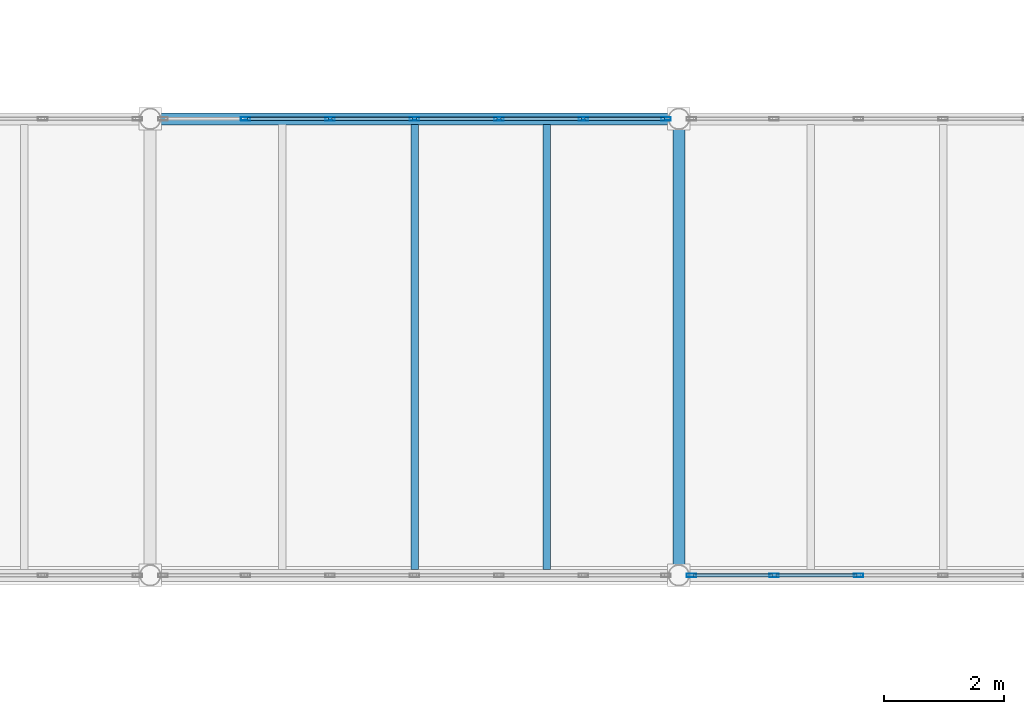
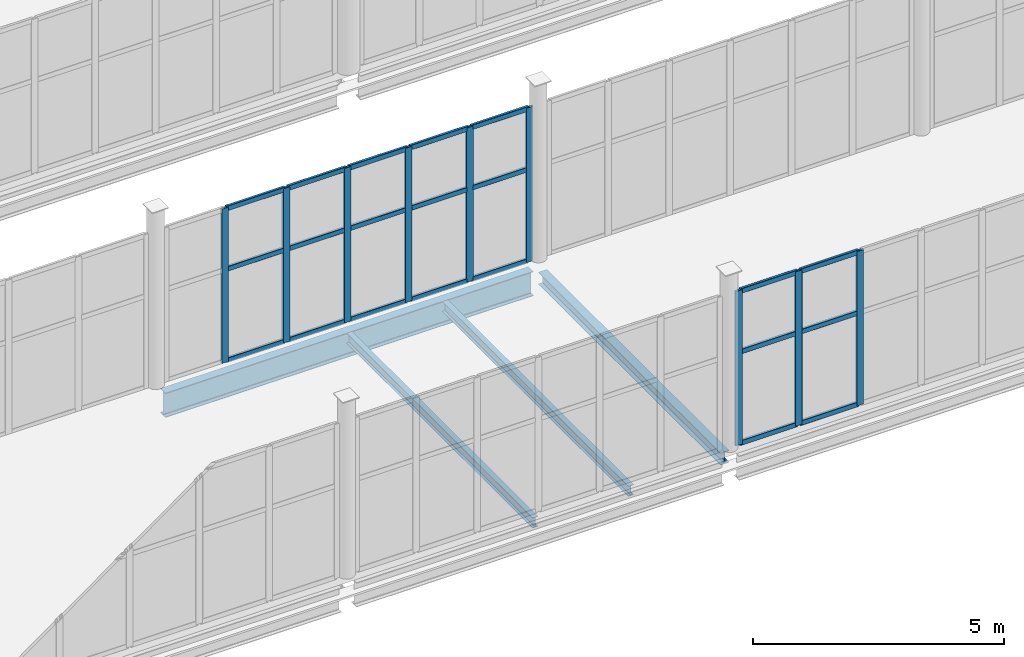
# One storey, part 53 of 172: 30 members, 4 beams, 2 elements without a shape of their own.
"""IFC4 building model written with IfcOpenShell, lengths in metres."""

from ifc_helpers import new_model, si_unit, direction, frame, origin, origin_2d, place, context, subcontext, project, spatial, hollow_rectangle, i_section, extrude, material, material_profile, profile_set, type_object, element, aggregate, save


model = new_model("IFC4")

# Units and contexts
model_context = context("Model", 3, precision=1e-05, world=origin(), true_north=direction((0.0, 1.0)))
body_context = subcontext(model_context, "Body", "Model", "MODEL_VIEW")
ifc_project = project(units=[si_unit("LENGTHUNIT", "METRE"), si_unit("AREAUNIT", "SQUARE_METRE"), si_unit("VOLUMEUNIT", "CUBIC_METRE"), si_unit("PLANEANGLEUNIT", "RADIAN"), si_unit("MASSUNIT", "GRAM", prefix="KILO")], contexts=[model_context])

# Site, building, storey
site_placement = place(None, origin())
site = spatial("IfcSite", under=ifc_project, at=site_placement, CompositionType="ELEMENT")
building_placement = place(site_placement, origin())
building = spatial("IfcBuilding", under=site, at=building_placement, Name="Shengluoqiao Park Theatre", CompositionType="ELEMENT")
storey_placement = place(building_placement, frame((0.0, 0.0, 5.39990234375)))
storey = spatial("IfcBuildingStorey", under=building, at=storey_placement, Name="L01", CompositionType="ELEMENT", Elevation=5.39990234375)

# Curtain wall, members
ifc_material_1 = material(Name="Aluminium 6063-T6", Category="aluminium")
curtain_wall_type = type_object("IfcCurtainWallType", Name="ENV-CW-BRIDGE", PredefinedType="NOTDEFINED", material=ifc_material_1)
curtain_wall_1_placement = place(storey_placement, origin())
curtain_wall_1 = element("IfcCurtainWall", 1, at=curtain_wall_1_placement, inside=storey, type_object=curtain_wall_type, Name="L01 Curtain Wall CWX-L01-0129", PredefinedType="NOTDEFINED")
ifc_material_profile_1 = material_profile(ifc_material_1, hollow_rectangle(XDim=0.06005859375, YDim=0.159912109375, WallThickness=0.00390625, InnerFilletRadius=0.00390625, OuterFilletRadius=0.008056640625, at=origin_2d()), Name="ALU MULLION 160x60x4")
ifc_profile_set_1 = profile_set([ifc_material_profile_1], Name="Aluminium 6063-T6")
member_type_1 = type_object("IfcMemberType", Name="ENV-MUL-160", PredefinedType="MULLION", material=ifc_profile_set_1)
member_1_placement = place(storey_placement, frame((95.412109375, 53.199951171875, 0.0), z_axis=(0.0, 0.0, 1.0), x_axis=(0.0, 1.0, 0.0)))
member_1 = element("IfcMember", 2, at=member_1_placement, type_object=member_type_1, Name="CW-03 mullion 1", PredefinedType="MULLION", context=body_context, shape_type="SweptSolid", body=[
    extrude(hollow_rectangle(XDim=0.06005859375, YDim=0.159912109375, WallThickness=0.00390625, InnerFilletRadius=0.00390625, OuterFilletRadius=0.008056640625, at=origin_2d()), origin(), (0.0, 0.0, 1.0), 3.752197265625),
])
member_2_placement = place(storey_placement, frame((96.7880859375, 53.199951171875, 0.0), z_axis=(0.0, 0.0, 1.0), x_axis=(0.0, 1.0, 0.0)))
member_2 = element("IfcMember", 3, at=member_2_placement, type_object=member_type_1, Name="CW-03 mullion 2", PredefinedType="MULLION", context=body_context, shape_type="SweptSolid", body=[
    extrude(hollow_rectangle(XDim=0.06005859375, YDim=0.159912109375, WallThickness=0.00390625, InnerFilletRadius=0.00390625, OuterFilletRadius=0.008056640625, at=origin_2d()), origin(), (0.0, 0.0, 1.0), 3.752197265625),
])
member_3_placement = place(storey_placement, frame((98.194091796875, 53.199951171875, 0.0), z_axis=(0.0, 0.0, 1.0), x_axis=(0.0, 1.0, 0.0)))
member_3 = element("IfcMember", 4, at=member_3_placement, type_object=member_type_1, Name="CW-03 mullion 3", PredefinedType="MULLION", context=body_context, shape_type="SweptSolid", body=[
    extrude(hollow_rectangle(XDim=0.06005859375, YDim=0.159912109375, WallThickness=0.00390625, InnerFilletRadius=0.00390625, OuterFilletRadius=0.008056640625, at=origin_2d()), origin(), (0.0, 0.0, 1.0), 3.752197265625),
])

curtain_wall_2_placement = place(storey_placement, origin())
curtain_wall_2 = element("IfcCurtainWall", 5, at=curtain_wall_2_placement, inside=storey, type_object=curtain_wall_type, Name="L01 Curtain Wall CWX-L01-0141", PredefinedType="NOTDEFINED")
member_4_placement = place(storey_placement, frame((87.988037109375, 60.800048828125, 0.0), z_axis=(0.0, 0.0, 1.0), x_axis=(0.0, 1.0, 0.0)))
member_4 = element("IfcMember", 6, at=member_4_placement, type_object=member_type_1, Name="CW-03 mullion 2", PredefinedType="MULLION", context=body_context, shape_type="SweptSolid", body=[
    extrude(hollow_rectangle(XDim=0.06005859375, YDim=0.159912109375, WallThickness=0.00390625, InnerFilletRadius=0.00390625, OuterFilletRadius=0.008056640625, at=origin_2d()), origin(), (0.0, 0.0, 1.0), 3.752197265625),
])
member_5_placement = place(storey_placement, frame((89.39404296875, 60.800048828125, 0.0), z_axis=(0.0, 0.0, 1.0), x_axis=(0.0, 1.0, 0.0)))
member_5 = element("IfcMember", 7, at=member_5_placement, type_object=member_type_1, Name="CW-03 mullion 3", PredefinedType="MULLION", context=body_context, shape_type="SweptSolid", body=[
    extrude(hollow_rectangle(XDim=0.06005859375, YDim=0.159912109375, WallThickness=0.00390625, InnerFilletRadius=0.00390625, OuterFilletRadius=0.008056640625, at=origin_2d()), origin(), (0.0, 0.0, 1.0), 3.752197265625),
])
member_6_placement = place(storey_placement, frame((90.800048828125, 60.800048828125, 0.0), z_axis=(0.0, 0.0, 1.0), x_axis=(0.0, 1.0, 0.0)))
member_6 = element("IfcMember", 8, at=member_6_placement, type_object=member_type_1, Name="CW-03 mullion 4", PredefinedType="MULLION", context=body_context, shape_type="SweptSolid", body=[
    extrude(hollow_rectangle(XDim=0.06005859375, YDim=0.159912109375, WallThickness=0.00390625, InnerFilletRadius=0.00390625, OuterFilletRadius=0.008056640625, at=origin_2d()), origin(), (0.0, 0.0, 1.0), 3.752197265625),
])
member_7_placement = place(storey_placement, frame((92.2060546875, 60.800048828125, 0.0), z_axis=(0.0, 0.0, 1.0), x_axis=(0.0, 1.0, 0.0)))
member_7 = element("IfcMember", 9, at=member_7_placement, type_object=member_type_1, Name="CW-03 mullion 5", PredefinedType="MULLION", context=body_context, shape_type="SweptSolid", body=[
    extrude(hollow_rectangle(XDim=0.06005859375, YDim=0.159912109375, WallThickness=0.00390625, InnerFilletRadius=0.00390625, OuterFilletRadius=0.008056640625, at=origin_2d()), origin(), (0.0, 0.0, 1.0), 3.752197265625),
])
member_8_placement = place(storey_placement, frame((93.612060546875, 60.800048828125, 0.0), z_axis=(0.0, 0.0, 1.0), x_axis=(0.0, 1.0, 0.0)))
member_8 = element("IfcMember", 10, at=member_8_placement, type_object=member_type_1, Name="CW-03 mullion 6", PredefinedType="MULLION", context=body_context, shape_type="SweptSolid", body=[
    extrude(hollow_rectangle(XDim=0.06005859375, YDim=0.159912109375, WallThickness=0.00390625, InnerFilletRadius=0.00390625, OuterFilletRadius=0.008056640625, at=origin_2d()), origin(), (0.0, 0.0, 1.0), 3.752197265625),
])
member_9_placement = place(storey_placement, frame((94.988037109375, 60.800048828125, 0.0), z_axis=(0.0, 0.0, 1.0), x_axis=(0.0, 1.0, 0.0)))
member_9 = element("IfcMember", 11, at=member_9_placement, type_object=member_type_1, Name="CW-03 mullion 7", PredefinedType="MULLION", context=body_context, shape_type="SweptSolid", body=[
    extrude(hollow_rectangle(XDim=0.06005859375, YDim=0.159912109375, WallThickness=0.00390625, InnerFilletRadius=0.00390625, OuterFilletRadius=0.008056640625, at=origin_2d()), origin(), (0.0, 0.0, 1.0), 3.752197265625),
])

# Member
ifc_material_profile_2 = material_profile(ifc_material_1, hollow_rectangle(XDim=0.06005859375, YDim=0.1201171875, WallThickness=0.00390625, InnerFilletRadius=0.00390625, OuterFilletRadius=0.008056640625, at=origin_2d()), Name="ALU TRANSOM 120x60x4")
ifc_profile_set_2 = profile_set([ifc_material_profile_2], Name="Aluminium 6063-T6")
member_type_2 = type_object("IfcMemberType", Name="ENV-TRN-120", PredefinedType="USERDEFINED", material=ifc_profile_set_2)
member_10_placement = place(storey_placement, frame((95.44189453125, 53.199951171875, 0.030029296875), z_axis=(1.0, 0.0, 0.0), x_axis=(0.0, 1.0, 0.0)))
member_10 = element("IfcMember", 12, at=member_10_placement, type_object=member_type_2, Name="CW-03 transom 1.1", ObjectType="TRANSOM", PredefinedType="USERDEFINED", context=body_context, shape_type="SweptSolid", body=[
    extrude(hollow_rectangle(XDim=0.06005859375, YDim=0.1201171875, WallThickness=0.00390625, InnerFilletRadius=0.00390625, OuterFilletRadius=0.008056640625, at=origin_2d()), origin(), (0.0, 0.0, 1.0), 1.316162109375),
])

member_11_placement = place(storey_placement, frame((95.44189453125, 53.199951171875, 2.2509765625), z_axis=(1.0, 0.0, 0.0), x_axis=(0.0, 1.0, 0.0)))
member_11 = element("IfcMember", 13, at=member_11_placement, type_object=member_type_2, Name="CW-03 transom 1.2", ObjectType="TRANSOM", PredefinedType="USERDEFINED", context=body_context, shape_type="SweptSolid", body=[
    extrude(hollow_rectangle(XDim=0.06005859375, YDim=0.1201171875, WallThickness=0.00390625, InnerFilletRadius=0.00390625, OuterFilletRadius=0.008056640625, at=origin_2d()), origin(), (0.0, 0.0, 1.0), 1.316162109375),
])

member_12_placement = place(storey_placement, frame((95.44189453125, 53.199951171875, 3.72216796875), z_axis=(1.0, 0.0, 0.0), x_axis=(0.0, 1.0, 0.0)))
member_12 = element("IfcMember", 14, at=member_12_placement, type_object=member_type_2, Name="CW-03 transom 1.3", ObjectType="TRANSOM", PredefinedType="USERDEFINED", context=body_context, shape_type="SweptSolid", body=[
    extrude(hollow_rectangle(XDim=0.06005859375, YDim=0.1201171875, WallThickness=0.00390625, InnerFilletRadius=0.00390625, OuterFilletRadius=0.008056640625, at=origin_2d()), origin(), (0.0, 0.0, 1.0), 1.316162109375),
])

member_13_placement = place(storey_placement, frame((96.818115234375, 53.199951171875, 0.030029296875), z_axis=(1.0, 0.0, 0.0), x_axis=(0.0, 1.0, 0.0)))
member_13 = element("IfcMember", 15, at=member_13_placement, type_object=member_type_2, Name="CW-03 transom 2.1", ObjectType="TRANSOM", PredefinedType="USERDEFINED", context=body_context, shape_type="SweptSolid", body=[
    extrude(hollow_rectangle(XDim=0.06005859375, YDim=0.1201171875, WallThickness=0.00390625, InnerFilletRadius=0.00390625, OuterFilletRadius=0.008056640625, at=origin_2d()), origin(), (0.0, 0.0, 1.0), 1.345947265625),
])

member_14_placement = place(storey_placement, frame((96.818115234375, 53.199951171875, 2.2509765625), z_axis=(1.0, 0.0, 0.0), x_axis=(0.0, 1.0, 0.0)))
member_14 = element("IfcMember", 16, at=member_14_placement, type_object=member_type_2, Name="CW-03 transom 2.2", ObjectType="TRANSOM", PredefinedType="USERDEFINED", context=body_context, shape_type="SweptSolid", body=[
    extrude(hollow_rectangle(XDim=0.06005859375, YDim=0.1201171875, WallThickness=0.00390625, InnerFilletRadius=0.00390625, OuterFilletRadius=0.008056640625, at=origin_2d()), origin(), (0.0, 0.0, 1.0), 1.345947265625),
])

member_15_placement = place(storey_placement, frame((96.818115234375, 53.199951171875, 3.72216796875), z_axis=(1.0, 0.0, 0.0), x_axis=(0.0, 1.0, 0.0)))
member_15 = element("IfcMember", 17, at=member_15_placement, type_object=member_type_2, Name="CW-03 transom 2.3", ObjectType="TRANSOM", PredefinedType="USERDEFINED", context=body_context, shape_type="SweptSolid", body=[
    extrude(hollow_rectangle(XDim=0.06005859375, YDim=0.1201171875, WallThickness=0.00390625, InnerFilletRadius=0.00390625, OuterFilletRadius=0.008056640625, at=origin_2d()), origin(), (0.0, 0.0, 1.0), 1.345947265625),
])

aggregate(curtain_wall_1, [member_1, member_2, member_3, member_10, member_11, member_12, member_13, member_14, member_15])

member_16_placement = place(storey_placement, frame((88.01806640625, 60.800048828125, 0.030029296875), z_axis=(1.0, 0.0, 0.0), x_axis=(0.0, 1.0, 0.0)))
member_16 = element("IfcMember", 18, at=member_16_placement, type_object=member_type_2, Name="CW-03 transom 2.1", ObjectType="TRANSOM", PredefinedType="USERDEFINED", context=body_context, shape_type="SweptSolid", body=[
    extrude(hollow_rectangle(XDim=0.06005859375, YDim=0.1201171875, WallThickness=0.00390625, InnerFilletRadius=0.00390625, OuterFilletRadius=0.008056640625, at=origin_2d()), origin(), (0.0, 0.0, 1.0), 1.345947265625),
])

member_17_placement = place(storey_placement, frame((88.01806640625, 60.800048828125, 2.2509765625), z_axis=(1.0, 0.0, 0.0), x_axis=(0.0, 1.0, 0.0)))
member_17 = element("IfcMember", 19, at=member_17_placement, type_object=member_type_2, Name="CW-03 transom 2.2", ObjectType="TRANSOM", PredefinedType="USERDEFINED", context=body_context, shape_type="SweptSolid", body=[
    extrude(hollow_rectangle(XDim=0.06005859375, YDim=0.1201171875, WallThickness=0.00390625, InnerFilletRadius=0.00390625, OuterFilletRadius=0.008056640625, at=origin_2d()), origin(), (0.0, 0.0, 1.0), 1.345947265625),
])

member_18_placement = place(storey_placement, frame((88.01806640625, 60.800048828125, 3.72216796875), z_axis=(1.0, 0.0, 0.0), x_axis=(0.0, 1.0, 0.0)))
member_18 = element("IfcMember", 20, at=member_18_placement, type_object=member_type_2, Name="CW-03 transom 2.3", ObjectType="TRANSOM", PredefinedType="USERDEFINED", context=body_context, shape_type="SweptSolid", body=[
    extrude(hollow_rectangle(XDim=0.06005859375, YDim=0.1201171875, WallThickness=0.00390625, InnerFilletRadius=0.00390625, OuterFilletRadius=0.008056640625, at=origin_2d()), origin(), (0.0, 0.0, 1.0), 1.345947265625),
])

member_19_placement = place(storey_placement, frame((89.424072265625, 60.800048828125, 0.030029296875), z_axis=(1.0, 0.0, 0.0), x_axis=(0.0, 1.0, 0.0)))
member_19 = element("IfcMember", 21, at=member_19_placement, type_object=member_type_2, Name="CW-03 transom 3.1", ObjectType="TRANSOM", PredefinedType="USERDEFINED", context=body_context, shape_type="SweptSolid", body=[
    extrude(hollow_rectangle(XDim=0.06005859375, YDim=0.1201171875, WallThickness=0.00390625, InnerFilletRadius=0.00390625, OuterFilletRadius=0.008056640625, at=origin_2d()), origin(), (0.0, 0.0, 1.0), 1.345947265625),
])

member_20_placement = place(storey_placement, frame((89.424072265625, 60.800048828125, 2.2509765625), z_axis=(1.0, 0.0, 0.0), x_axis=(0.0, 1.0, 0.0)))
member_20 = element("IfcMember", 22, at=member_20_placement, type_object=member_type_2, Name="CW-03 transom 3.2", ObjectType="TRANSOM", PredefinedType="USERDEFINED", context=body_context, shape_type="SweptSolid", body=[
    extrude(hollow_rectangle(XDim=0.06005859375, YDim=0.1201171875, WallThickness=0.00390625, InnerFilletRadius=0.00390625, OuterFilletRadius=0.008056640625, at=origin_2d()), origin(), (0.0, 0.0, 1.0), 1.345947265625),
])

member_21_placement = place(storey_placement, frame((89.424072265625, 60.800048828125, 3.72216796875), z_axis=(1.0, 0.0, 0.0), x_axis=(0.0, 1.0, 0.0)))
member_21 = element("IfcMember", 23, at=member_21_placement, type_object=member_type_2, Name="CW-03 transom 3.3", ObjectType="TRANSOM", PredefinedType="USERDEFINED", context=body_context, shape_type="SweptSolid", body=[
    extrude(hollow_rectangle(XDim=0.06005859375, YDim=0.1201171875, WallThickness=0.00390625, InnerFilletRadius=0.00390625, OuterFilletRadius=0.008056640625, at=origin_2d()), origin(), (0.0, 0.0, 1.0), 1.345947265625),
])

member_22_placement = place(storey_placement, frame((90.830078125, 60.800048828125, 0.030029296875), z_axis=(1.0, 0.0, 0.0), x_axis=(0.0, 1.0, 0.0)))
member_22 = element("IfcMember", 24, at=member_22_placement, type_object=member_type_2, Name="CW-03 transom 4.1", ObjectType="TRANSOM", PredefinedType="USERDEFINED", context=body_context, shape_type="SweptSolid", body=[
    extrude(hollow_rectangle(XDim=0.06005859375, YDim=0.1201171875, WallThickness=0.00390625, InnerFilletRadius=0.00390625, OuterFilletRadius=0.008056640625, at=origin_2d()), origin(), (0.0, 0.0, 1.0), 1.345947265625),
])

member_23_placement = place(storey_placement, frame((90.830078125, 60.800048828125, 2.2509765625), z_axis=(1.0, 0.0, 0.0), x_axis=(0.0, 1.0, 0.0)))
member_23 = element("IfcMember", 25, at=member_23_placement, type_object=member_type_2, Name="CW-03 transom 4.2", ObjectType="TRANSOM", PredefinedType="USERDEFINED", context=body_context, shape_type="SweptSolid", body=[
    extrude(hollow_rectangle(XDim=0.06005859375, YDim=0.1201171875, WallThickness=0.00390625, InnerFilletRadius=0.00390625, OuterFilletRadius=0.008056640625, at=origin_2d()), origin(), (0.0, 0.0, 1.0), 1.345947265625),
])

member_24_placement = place(storey_placement, frame((90.830078125, 60.800048828125, 3.72216796875), z_axis=(1.0, 0.0, 0.0), x_axis=(0.0, 1.0, 0.0)))
member_24 = element("IfcMember", 26, at=member_24_placement, type_object=member_type_2, Name="CW-03 transom 4.3", ObjectType="TRANSOM", PredefinedType="USERDEFINED", context=body_context, shape_type="SweptSolid", body=[
    extrude(hollow_rectangle(XDim=0.06005859375, YDim=0.1201171875, WallThickness=0.00390625, InnerFilletRadius=0.00390625, OuterFilletRadius=0.008056640625, at=origin_2d()), origin(), (0.0, 0.0, 1.0), 1.345947265625),
])

member_25_placement = place(storey_placement, frame((92.236083984375, 60.800048828125, 0.030029296875), z_axis=(1.0, 0.0, 0.0), x_axis=(0.0, 1.0, 0.0)))
member_25 = element("IfcMember", 27, at=member_25_placement, type_object=member_type_2, Name="CW-03 transom 5.1", ObjectType="TRANSOM", PredefinedType="USERDEFINED", context=body_context, shape_type="SweptSolid", body=[
    extrude(hollow_rectangle(XDim=0.06005859375, YDim=0.1201171875, WallThickness=0.00390625, InnerFilletRadius=0.00390625, OuterFilletRadius=0.008056640625, at=origin_2d()), origin(), (0.0, 0.0, 1.0), 1.345947265625),
])

member_26_placement = place(storey_placement, frame((92.236083984375, 60.800048828125, 2.2509765625), z_axis=(1.0, 0.0, 0.0), x_axis=(0.0, 1.0, 0.0)))
member_26 = element("IfcMember", 28, at=member_26_placement, type_object=member_type_2, Name="CW-03 transom 5.2", ObjectType="TRANSOM", PredefinedType="USERDEFINED", context=body_context, shape_type="SweptSolid", body=[
    extrude(hollow_rectangle(XDim=0.06005859375, YDim=0.1201171875, WallThickness=0.00390625, InnerFilletRadius=0.00390625, OuterFilletRadius=0.008056640625, at=origin_2d()), origin(), (0.0, 0.0, 1.0), 1.345947265625),
])

member_27_placement = place(storey_placement, frame((92.236083984375, 60.800048828125, 3.72216796875), z_axis=(1.0, 0.0, 0.0), x_axis=(0.0, 1.0, 0.0)))
member_27 = element("IfcMember", 29, at=member_27_placement, type_object=member_type_2, Name="CW-03 transom 5.3", ObjectType="TRANSOM", PredefinedType="USERDEFINED", context=body_context, shape_type="SweptSolid", body=[
    extrude(hollow_rectangle(XDim=0.06005859375, YDim=0.1201171875, WallThickness=0.00390625, InnerFilletRadius=0.00390625, OuterFilletRadius=0.008056640625, at=origin_2d()), origin(), (0.0, 0.0, 1.0), 1.345947265625),
])

member_28_placement = place(storey_placement, frame((93.64208984375, 60.800048828125, 0.030029296875), z_axis=(1.0, 0.0, 0.0), x_axis=(0.0, 1.0, 0.0)))
member_28 = element("IfcMember", 30, at=member_28_placement, type_object=member_type_2, Name="CW-03 transom 6.1", ObjectType="TRANSOM", PredefinedType="USERDEFINED", context=body_context, shape_type="SweptSolid", body=[
    extrude(hollow_rectangle(XDim=0.06005859375, YDim=0.1201171875, WallThickness=0.00390625, InnerFilletRadius=0.00390625, OuterFilletRadius=0.008056640625, at=origin_2d()), origin(), (0.0, 0.0, 1.0), 1.31591796875),
])

member_29_placement = place(storey_placement, frame((93.64208984375, 60.800048828125, 2.2509765625), z_axis=(1.0, 0.0, 0.0), x_axis=(0.0, 1.0, 0.0)))
member_29 = element("IfcMember", 31, at=member_29_placement, type_object=member_type_2, Name="CW-03 transom 6.2", ObjectType="TRANSOM", PredefinedType="USERDEFINED", context=body_context, shape_type="SweptSolid", body=[
    extrude(hollow_rectangle(XDim=0.06005859375, YDim=0.1201171875, WallThickness=0.00390625, InnerFilletRadius=0.00390625, OuterFilletRadius=0.008056640625, at=origin_2d()), origin(), (0.0, 0.0, 1.0), 1.31591796875),
])

member_30_placement = place(storey_placement, frame((93.64208984375, 60.800048828125, 3.72216796875), z_axis=(1.0, 0.0, 0.0), x_axis=(0.0, 1.0, 0.0)))
member_30 = element("IfcMember", 32, at=member_30_placement, type_object=member_type_2, Name="CW-03 transom 6.3", ObjectType="TRANSOM", PredefinedType="USERDEFINED", context=body_context, shape_type="SweptSolid", body=[
    extrude(hollow_rectangle(XDim=0.06005859375, YDim=0.1201171875, WallThickness=0.00390625, InnerFilletRadius=0.00390625, OuterFilletRadius=0.008056640625, at=origin_2d()), origin(), (0.0, 0.0, 1.0), 1.31591796875),
])

aggregate(curtain_wall_2, [member_4, member_5, member_6, member_7, member_8, member_9, member_16, member_17, member_18, member_19, member_20, member_21, member_22, member_23, member_24, member_25, member_26, member_27, member_28, member_29, member_30])

# Beams
ifc_material_2 = material(Name="Steel Q355", Category="steel")
ifc_material_profile_3 = material_profile(ifc_material_2, i_section(OverallWidth=0.199951171875, OverallDepth=0.2939453125, WebThickness=0.008056640625, FlangeThickness=0.011962890625, FilletRadius=0.01611328125, at=origin_2d()), Name="HM 294x200x8x12")
ifc_profile_set_3 = profile_set([ifc_material_profile_3], Name="Steel Q355")
beam_type_1 = type_object("IfcBeamType", Name="STR-BM-G-HM294", PredefinedType="BEAM", material=ifc_profile_set_3)
beam_1_placement = place(storey_placement, frame((95.199951171875, 53.3720703125, -0.35693359375), z_axis=(0.0, 1.0, 0.0), x_axis=(-1.0, 0.0, 0.0)))
element("IfcBeam", 33, at=beam_1_placement, inside=storey, type_object=beam_type_1, Name="L01 Transverse Girder 00592", PredefinedType="BEAM", context=body_context, shape_type="SweptSolid", body=[
    extrude(i_section(OverallWidth=0.199951171875, OverallDepth=0.2939453125, WebThickness=0.008056640625, FlangeThickness=0.011962890625, FilletRadius=0.01611328125, at=origin_2d()), origin(), (0.0, 0.0, 1.0), 7.255859375),
])
ifc_material_profile_4 = material_profile(ifc_material_2, i_section(OverallWidth=0.125, OverallDepth=0.25, WebThickness=0.006103515625, FlangeThickness=0.009033203125, FilletRadius=0.010009765625, at=origin_2d()), Name="HN 250x125x6x9")
ifc_profile_set_4 = profile_set([ifc_material_profile_4], Name="Steel Q355")
beam_type_2 = type_object("IfcBeamType", Name="STR-BM-J-HN250", PredefinedType="JOIST", material=ifc_profile_set_4)
for number, where, z_axis, x_axis, name in (
    (34, (90.800048828125, 53.29443359375, -0.3349609375), (0.0, 1.0, 0.0), (-1.0, 0.0, 0.0), "L01 Composite Joist 00614"),
    (35, (93.0, 53.29443359375, -0.3349609375), (0.0, 1.0, 0.0), (-1.0, 0.0, 0.0), "L01 Composite Joist 00615"),
):
    element("IfcBeam", number, at=place(storey_placement, frame(where, z_axis=z_axis, x_axis=x_axis)), inside=storey, type_object=beam_type_2, Name=name, PredefinedType="JOIST", context=body_context, shape_type="SweptSolid", body=[
        extrude(i_section(OverallWidth=0.125, OverallDepth=0.25, WebThickness=0.006103515625, FlangeThickness=0.009033203125, FilletRadius=0.010009765625, at=origin_2d()), origin(), (0.0, 0.0, 1.0), 7.4111328125),
    ])
ifc_material_profile_5 = material_profile(ifc_material_2, i_section(OverallWidth=0.198974609375, OverallDepth=0.595947265625, WebThickness=0.010009765625, FlangeThickness=0.014892578125, FilletRadius=0.02001953125, at=origin_2d()), Name="HN 596x199x10x15")
ifc_profile_set_5 = profile_set([ifc_material_profile_5], Name="Steel Q355")
beam_type_3 = type_object("IfcBeamType", Name="STR-BM-SP-HN596", PredefinedType="SPANDREL", material=ifc_profile_set_5)
beam_2_placement = place(storey_placement, frame((86.572021484375, 60.800048828125, -0.5078125), z_axis=(1.0, 0.0, 0.0), x_axis=(0.0, 1.0, 0.0)))
element("IfcBeam", 36, at=beam_2_placement, inside=storey, type_object=beam_type_3, Name="L01 Primary Girder 00579", PredefinedType="SPANDREL", context=body_context, shape_type="SweptSolid", body=[
    extrude(i_section(OverallWidth=0.198974609375, OverallDepth=0.595947265625, WebThickness=0.010009765625, FlangeThickness=0.014892578125, FilletRadius=0.02001953125, at=origin_2d()), origin(), (0.0, 0.0, 1.0), 8.4560546875),
])

save(model, "model.ifc")
